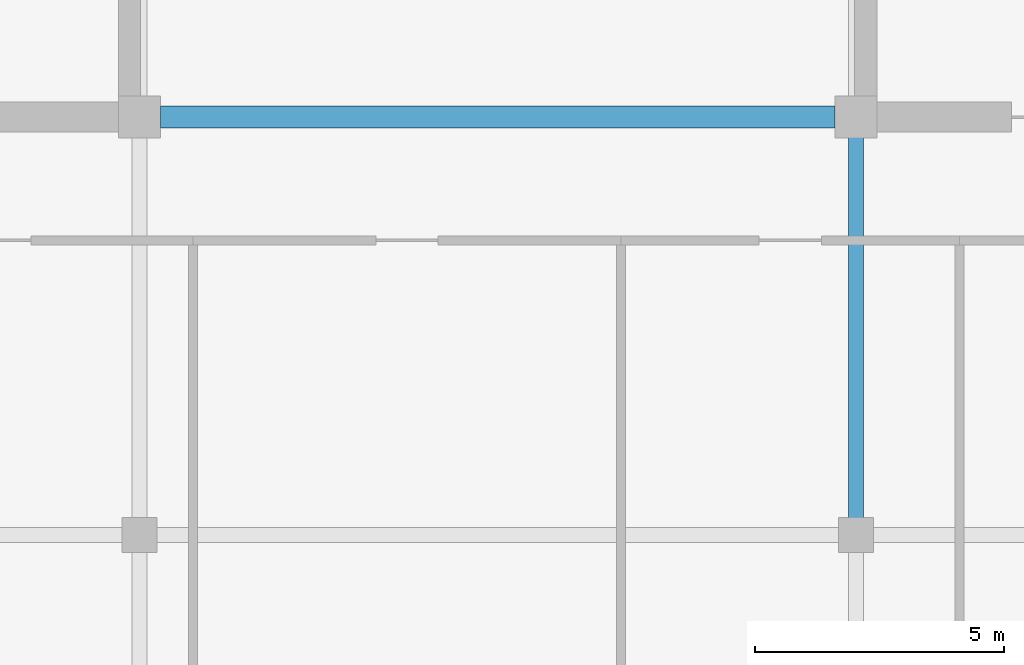
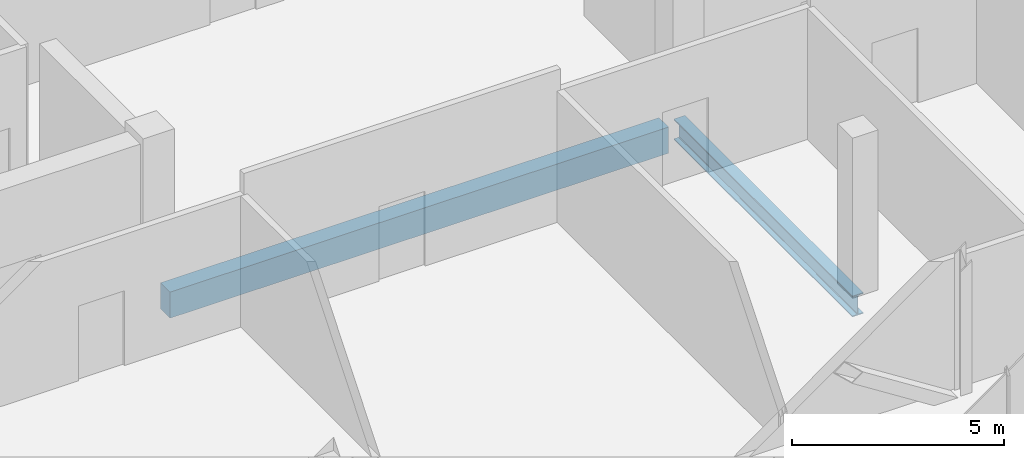
# One storey, part 10 of 28: 2 beams.
"""IFC4 building model written with IfcOpenShell, lengths in metres."""

from ifc_helpers import new_model, si_unit, direction, frame, origin, origin_2d, place, context, subcontext, project, spatial, rectangle, i_section, extrude, material, material_profile, profile_set, type_object, element, save


model = new_model("IFC4")

# Units and contexts
model_context = context("Model", 3, precision=1e-05, world=origin(), true_north=direction((0.0, 1.0)))
body_context = subcontext(model_context, "Body", "Model", "MODEL_VIEW")
ifc_project = project(units=[si_unit("LENGTHUNIT", "METRE"), si_unit("AREAUNIT", "SQUARE_METRE"), si_unit("VOLUMEUNIT", "CUBIC_METRE"), si_unit("PLANEANGLEUNIT", "RADIAN"), si_unit("MASSUNIT", "GRAM", prefix="KILO")], contexts=[model_context])

# Site, building, storey
site_placement = place(None, origin())
site = spatial("IfcSite", under=ifc_project, at=site_placement, CompositionType="ELEMENT")
building_placement = place(site_placement, origin())
building = spatial("IfcBuilding", under=site, at=building_placement, Name="Zarnakvel Exchange Tower", CompositionType="ELEMENT")
storey_placement = place(building_placement, frame((0.0, 0.0, 276.199951171875)))
storey = spatial("IfcBuildingStorey", under=building, at=storey_placement, Name="Crown L78", CompositionType="ELEMENT", Elevation=276.199951171875)

# Beams
ifc_material_1 = material(Name="Concrete C50/60", Category="concrete")
ifc_material_profile_1 = material_profile(ifc_material_1, rectangle(XDim=0.449951171875, YDim=0.75, at=origin_2d()))
ifc_profile_set_1 = profile_set([ifc_material_profile_1], Name="Concrete C50/60")
beam_type_1 = type_object("IfcBeamType", Name="CB-03", PredefinedType="LINTEL", material=ifc_profile_set_1)
beam_1_placement = place(storey_placement, frame((-6.77490234375, -1.199951171875, -0.594970703125), z_axis=(1.0, 0.0, 0.0), x_axis=(0.0, 1.0, 0.0)))
element("IfcBeam", 1, at=beam_1_placement, inside=storey, type_object=beam_type_1, Name="Crown L78 Rear Core South Coupling Beam (CB-03)", PredefinedType="LINTEL", context=body_context, shape_type="SweptSolid", body=[
    extrude(rectangle(XDim=0.449951171875, YDim=0.75, at=origin_2d()), origin(), (0.0, 0.0, 1.0), 13.5498046875),
])
ifc_material_2 = material(Name="Steel S355", Category="steel")
ifc_material_profile_2 = material_profile(ifc_material_2, i_section(OverallWidth=0.300048828125, OverallDepth=0.60009765625, WebThickness=0.015380859375, FlangeThickness=0.030029296875, FilletRadius=0.027099609375, at=origin_2d()))
ifc_profile_set_2 = profile_set([ifc_material_profile_2], Name="Steel S355")
beam_type_2 = type_object("IfcBeamType", Name="G-04", PredefinedType="BEAM", material=ifc_profile_set_2)
beam_2_placement = place(storey_placement, frame((7.199951171875, -9.60009765625, -0.52001953125), z_axis=(0.0, 1.0, 0.0), x_axis=(-1.0, 0.0, 0.0)))
element("IfcBeam", 2, at=beam_2_placement, inside=storey, type_object=beam_type_2, Name="Crown L78 Tower N-S Frame Beam", PredefinedType="BEAM", context=body_context, shape_type="SweptSolid", body=[
    extrude(i_section(OverallWidth=0.300048828125, OverallDepth=0.60009765625, WebThickness=0.015380859375, FlangeThickness=0.030029296875, FilletRadius=0.027099609375, at=origin_2d()), origin(), (0.0, 0.0, 1.0), 8.400146484375),
])

save(model, "model.ifc")
